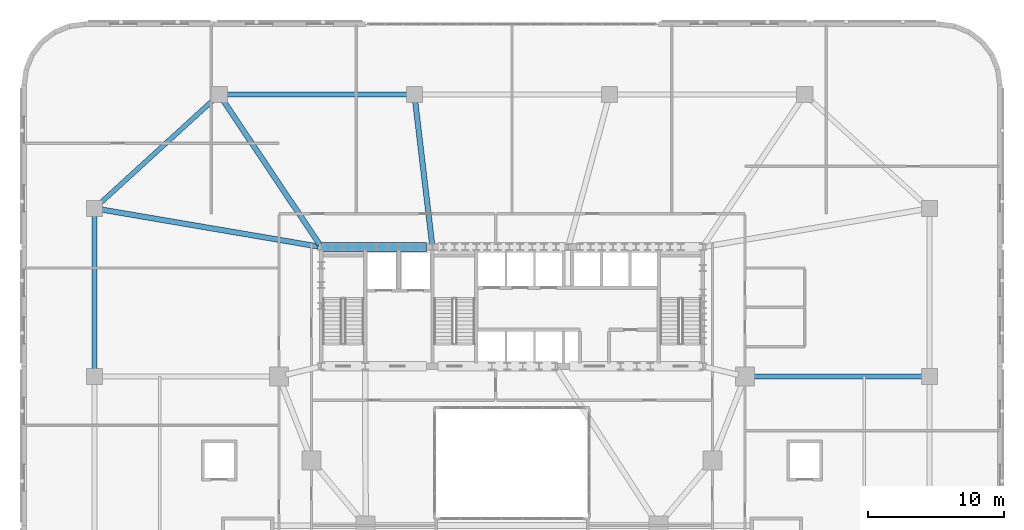
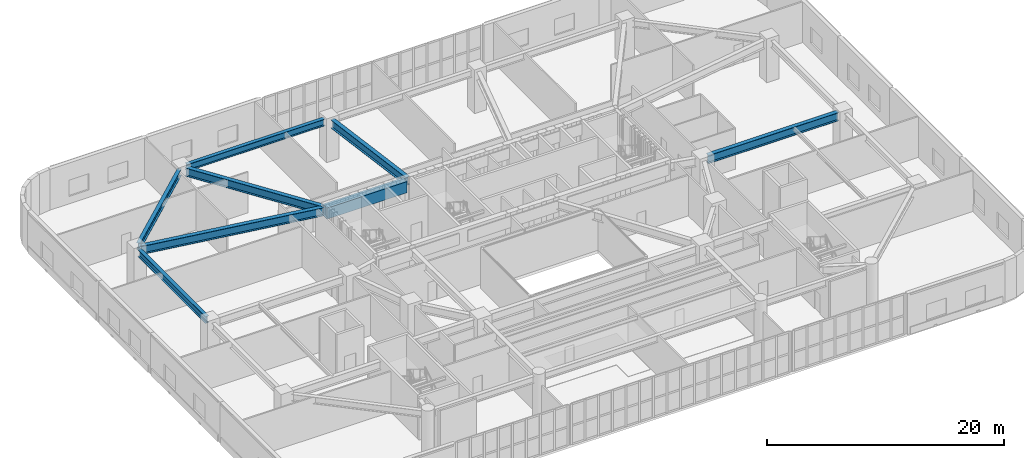
# One storey, part 8 of 25: 8 beams.
"""IFC4 building model written with IfcOpenShell, lengths in metres."""

from ifc_helpers import new_model, si_unit, direction, frame, origin, origin_2d, place, context, subcontext, project, spatial, rectangle, i_section, extrude, material, material_profile, profile_set, type_object, element, save


model = new_model("IFC4")

# Units and contexts
model_context = context("Model", 3, precision=1e-05, world=origin(), true_north=direction((0.0, 1.0)))
body_context = subcontext(model_context, "Body", "Model", "MODEL_VIEW")
ifc_project = project(units=[si_unit("LENGTHUNIT", "METRE"), si_unit("AREAUNIT", "SQUARE_METRE"), si_unit("VOLUMEUNIT", "CUBIC_METRE"), si_unit("PLANEANGLEUNIT", "RADIAN"), si_unit("MASSUNIT", "GRAM", prefix="KILO")], contexts=[model_context])

# Site, building, storey
site_placement = place(None, origin())
site = spatial("IfcSite", under=ifc_project, at=site_placement, CompositionType="ELEMENT")
building_placement = place(site_placement, origin())
building = spatial("IfcBuilding", under=site, at=building_placement, Name="Haldorwick Loom Tower", CompositionType="ELEMENT")
storey_placement = place(building_placement, frame((0.0, 0.0, 10.5)))
storey = spatial("IfcBuildingStorey", under=building, at=storey_placement, Name="L02", CompositionType="ELEMENT", Elevation=10.5)

# Beams
ifc_material_1 = material(Name="Concrete C60 (60 MPa)", Category="concrete")
ifc_material_profile_1 = material_profile(ifc_material_1, rectangle(XDim=0.699951171875, YDim=1.14990234375, at=origin_2d()), Name="RC700X1150", Category="concrete")
ifc_profile_set_1 = profile_set([ifc_material_profile_1], Name="Concrete C60 (60 MPa)")
beam_type_1 = type_object("IfcBeamType", Name="STR-BM-CB1150", PredefinedType="LINTEL", material=ifc_profile_set_1)
beam_1_placement = place(storey_placement, frame((21.89990234375, 35.550048828125, 3.625), z_axis=(1.0, 0.0, 0.0), x_axis=(0.0, 1.0, 0.0)))
element("IfcBeam", 1, at=beam_1_placement, inside=storey, type_object=beam_type_1, Name="L02 Core Coupling Beam CB-N1", PredefinedType="LINTEL", context=body_context, shape_type="SweptSolid", body=[
    extrude(rectangle(XDim=0.699951171875, YDim=1.14990234375, at=origin_2d()), origin(), (0.0, 0.0, 1.0), 7.800048828125),
])
ifc_material_2 = material(Name="Steel CSA G40.21 350W", Category="steel")
ifc_material_profile_2 = material_profile(ifc_material_2, i_section(OverallWidth=0.35498046875, OverallDepth=0.695068359375, WebThickness=0.015380859375, FlangeThickness=0.02490234375, at=origin_2d()), Name="W690X217", Category="steel")
ifc_profile_set_2 = profile_set([ifc_material_profile_2], Name="Steel CSA G40.21 350W")
beam_type_2 = type_object("IfcBeamType", Name="STR-BM-SP690", PredefinedType="SPANDREL", material=ifc_profile_set_2)
beam_2_placement = place(storey_placement, frame((28.320068359375, 46.800048828125, 3.8525390625), z_axis=(-1.0, 0.0, 0.0), x_axis=(0.0, -1.0, 0.0)))
element("IfcBeam", 2, at=beam_2_placement, inside=storey, type_object=beam_type_2, Name="L02 Podium Spandrel PSP-N3", PredefinedType="SPANDREL", context=body_context, shape_type="SweptSolid", body=[
    extrude(i_section(OverallWidth=0.35498046875, OverallDepth=0.695068359375, WebThickness=0.015380859375, FlangeThickness=0.02490234375, at=origin_2d()), origin(), (0.0, 0.0, 1.0), 13.440185546875),
])
beam_3_placement = place(storey_placement, frame((14.04541015625, 46.476318359375, 3.8525390625), z_axis=(-0.738482735745, -0.674272384876, 0.0), x_axis=(0.674272384876, -0.738482735745, 0.0)))
element("IfcBeam", 3, at=beam_3_placement, inside=storey, type_object=beam_type_2, Name="L02 Podium Spandrel PSP-N4", PredefinedType="SPANDREL", context=body_context, shape_type="SweptSolid", body=[
    extrude(i_section(OverallWidth=0.35498046875, OverallDepth=0.695068359375, WebThickness=0.015380859375, FlangeThickness=0.02490234375, at=origin_2d()), origin(), (0.0, 0.0, 1.0), 11.497802734375),
])
beam_4_placement = place(storey_placement, frame((5.199951171875, 37.919921875, 3.8525390625), z_axis=(0.0, -1.0, 0.0), x_axis=(1.0, 0.0, 0.0)))
element("IfcBeam", 4, at=beam_4_placement, inside=storey, type_object=beam_type_2, Name="L02 Podium Spandrel PSP-W1", PredefinedType="SPANDREL", context=body_context, shape_type="SweptSolid", body=[
    extrude(i_section(OverallWidth=0.35498046875, OverallDepth=0.695068359375, WebThickness=0.015380859375, FlangeThickness=0.02490234375, at=origin_2d()), origin(), (0.0, 0.0, 1.0), 11.43994140625),
])
ifc_material_profile_3 = material_profile(ifc_material_2, i_section(OverallWidth=0.39990234375, OverallDepth=0.85498046875, WebThickness=0.018310546875, FlangeThickness=0.029296875, at=origin_2d()), Name="W840X299", Category="steel")
ifc_profile_set_3 = profile_set([ifc_material_profile_3], Name="Steel CSA G40.21 350W")
beam_type_3 = type_object("IfcBeamType", Name="STR-BM-W840", PredefinedType="BEAM", material=ifc_profile_set_3)
beam_5_placement = place(storey_placement, frame((5.6435546875, 38.324462890625, 3.7724609375), z_axis=(0.985799279017, -0.167927905632, 0.0), x_axis=(0.167927905632, 0.985799279017, 0.0)))
element("IfcBeam", 5, at=beam_5_placement, inside=storey, type_object=beam_type_3, Name="L02 Podium Primary Girder PG-10", PredefinedType="BEAM", context=body_context, shape_type="SweptSolid", body=[
    extrude(i_section(OverallWidth=0.39990234375, OverallDepth=0.85498046875, WebThickness=0.018310546875, FlangeThickness=0.029296875, at=origin_2d()), origin(), (0.0, 0.0, 1.0), 16.296142578125),
])
beam_6_placement = place(storey_placement, frame((14.650390625, 46.426025390625, 3.7724609375), z_axis=(0.556223597649, -0.831032676504, 0.0), x_axis=(0.831032676504, 0.556223597649, 0.0)))
element("IfcBeam", 6, at=beam_6_placement, inside=storey, type_object=beam_type_3, Name="L02 Podium Primary Girder PG-12", PredefinedType="BEAM", context=body_context, shape_type="SweptSolid", body=[
    extrude(i_section(OverallWidth=0.39990234375, OverallDepth=0.85498046875, WebThickness=0.018310546875, FlangeThickness=0.029296875, at=origin_2d()), origin(), (0.0, 0.0, 1.0), 12.8623046875),
])
beam_7_placement = place(storey_placement, frame((28.852783203125, 46.35302734375, 3.7724609375), z_axis=(0.11740367245, -0.993084275223, 0.0), x_axis=(0.993084275223, 0.11740367245, 0.0)))
element("IfcBeam", 7, at=beam_7_placement, inside=storey, type_object=beam_type_3, Name="L02 Podium Primary Girder PG-13", PredefinedType="BEAM", context=body_context, shape_type="SweptSolid", body=[
    extrude(i_section(OverallWidth=0.39990234375, OverallDepth=0.85498046875, WebThickness=0.018310546875, FlangeThickness=0.029296875, at=origin_2d()), origin(), (0.0, 0.0, 1.0), 10.6533203125),
])
beam_8_placement = place(storey_placement, frame((53.64990234375, 26.0, 3.7724609375), z_axis=(1.0, 0.0, 0.0), x_axis=(0.0, 1.0, 0.0)))
element("IfcBeam", 8, at=beam_8_placement, inside=storey, type_object=beam_type_3, Name="L02 Podium Primary Girder PG-09", PredefinedType="BEAM", context=body_context, shape_type="SweptSolid", body=[
    extrude(i_section(OverallWidth=0.39990234375, OverallDepth=0.85498046875, WebThickness=0.018310546875, FlangeThickness=0.029296875, at=origin_2d()), origin(), (0.0, 0.0, 1.0), 12.7001953125),
])

save(model, "model.ifc")
